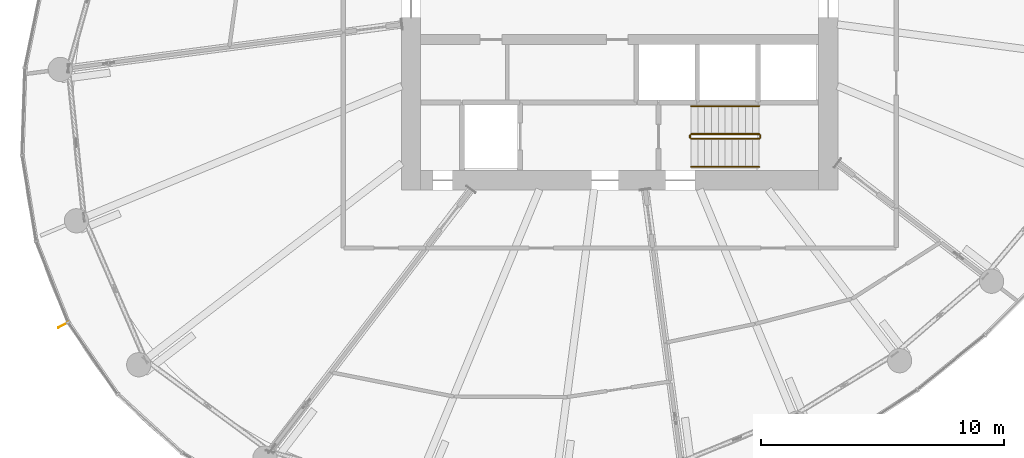
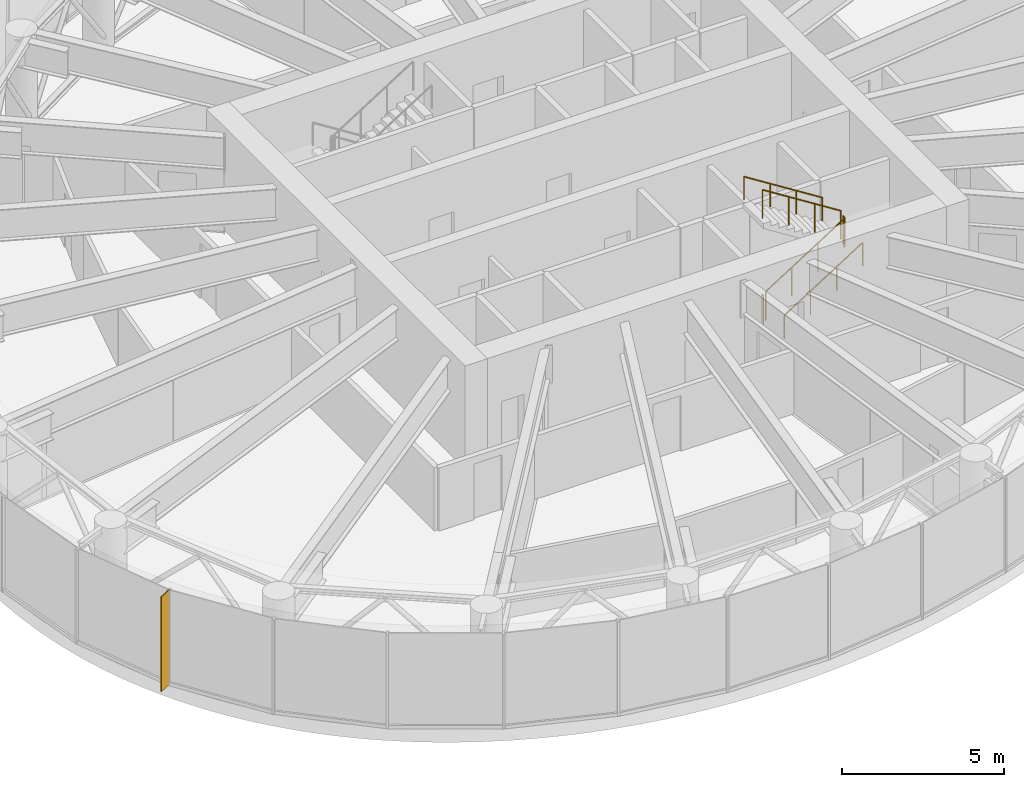
# One storey, part 23 of 25: 6 railings, 1 shading device.
"""IFC4 building model written with IfcOpenShell, lengths in metres."""

import ifcopenshell
import ifcopenshell.guid

model = None  # the IFC model being written
_history = None  # IfcOwnerHistory: only IFC2X3 demands one
_inside = {}  # id of a spatial element -> (the spatial element, [elements in it])
_under = {}  # id of a project, library or spatial element -> (it, [spatial elements below it])
_declared = {}  # id of a project -> (the project, [libraries it declares])
_typed = {}  # id of a type object -> (the type object, [elements of that type])
_made_of = {}  # id of a material, layer set ... -> (it, [elements and type objects made of it])


def new_model(schema):
    """Start an empty IFC model of exactly this schema.

    Asked for "IFC4X3", IfcOpenShell would pick the latest addendum, in which some entities
    have other attributes; the version numbers below select the first issue.
    IFC2X3 requires an IfcOwnerHistory on every rooted entity: one is made here for all.
    """
    global model, _history
    if schema == "IFC4X3":
        model = ifcopenshell.file(schema_version=(4, 3, 0, 0))
    else:
        model = ifcopenshell.file(schema=schema)
    _inside.clear()
    _under.clear()
    _declared.clear()
    _typed.clear()
    _made_of.clear()
    _history = None
    if model.schema == "IFC2X3":
        org = make("IfcOrganization", Name="unknown")
        user = make(
            "IfcPersonAndOrganization",
            ThePerson=make("IfcPerson", FamilyName="unknown"),
            TheOrganization=org,
        )
        app = make(
            "IfcApplication",
            ApplicationDeveloper=org,
            Version="unknown",
            ApplicationFullName="unknown",
            ApplicationIdentifier="unknown",
        )
        _history = make(
            "IfcOwnerHistory",
            OwningUser=user,
            OwningApplication=app,
            ChangeAction="ADDED",
            CreationDate=0,
        )
    return model


def make(cls, **values):
    """One entity of the class cls with the attributes given. An attribute that is None is left unset."""
    return model.create_entity(
        cls, **{name: value for name, value in values.items() if value is not None}
    )


def rooted(cls, **values):
    """An entity with a GlobalId (a new one), such as an element, a storey or a relation."""
    return make(cls, GlobalId=ifcopenshell.guid.new(), OwnerHistory=_history, **values)


def si_unit(unit_type, name, prefix=None):
    """IfcSIUnit, for example si_unit("LENGTHUNIT", "METRE", prefix="MILLI")."""
    return make("IfcSIUnit", UnitType=unit_type, Prefix=prefix, Name=name)


def assignment(units):
    """IfcUnitAssignment: the units of a project."""
    return None if units is None else make("IfcUnitAssignment", Units=units)


def point(xyz):
    """IfcCartesianPoint."""
    return None if xyz is None else make("IfcCartesianPoint", Coordinates=xyz)


def direction(xyz):
    """IfcDirection."""
    return None if xyz is None else make("IfcDirection", DirectionRatios=xyz)


def frame(location, z_axis=None, x_axis=None):
    """IfcAxis2Placement3D, a coordinate frame: its origin and axes. An axis left out is left unset."""
    return make(
        "IfcAxis2Placement3D",
        Location=point(location),
        Axis=direction(z_axis),
        RefDirection=direction(x_axis),
    )


def frame_2d(location, x_axis=None):
    """IfcAxis2Placement2D, a coordinate frame in the plane: its origin and x axis."""
    return make(
        "IfcAxis2Placement2D", Location=point(location), RefDirection=direction(x_axis)
    )


def origin():
    """The frame at (0, 0, 0) with its axes left unset."""
    return frame((0.0, 0.0, 0.0))


def origin_2d():
    """The frame at (0, 0) in the plane with its x axis left unset."""
    return frame_2d((0.0, 0.0))


def place(relative_to, where):
    """IfcLocalPlacement: puts the frame where relative to a parent placement (None: the world)."""
    return make(
        "IfcLocalPlacement", PlacementRelTo=relative_to, RelativePlacement=where
    )


def context(
    kind, dimensions, precision=None, world=None, true_north=None, identifier=None
):
    """IfcGeometricRepresentationContext, for example the 3D "Model" context."""
    return make(
        "IfcGeometricRepresentationContext",
        ContextIdentifier=identifier,
        ContextType=kind,
        CoordinateSpaceDimension=dimensions,
        Precision=precision,
        WorldCoordinateSystem=world,
        TrueNorth=true_north,
    )


def subcontext(parent, identifier, kind, view, scale=None):
    """IfcGeometricRepresentationSubContext, for example "Body" below "Model"."""
    return make(
        "IfcGeometricRepresentationSubContext",
        ContextIdentifier=identifier,
        ContextType=kind,
        ParentContext=parent,
        TargetScale=scale,
        TargetView=view,
    )


def project(units=None, contexts=None):
    """IfcProject with its units and contexts."""
    return rooted(
        "IfcProject",
        Name="project",
        RepresentationContexts=contexts,
        UnitsInContext=assignment(units),
    )


def spatial(cls, under=None, at=None, **own):
    """A site, building, storey or space (cls), placed at a placement, below another one or the project."""
    s = rooted(cls, ObjectPlacement=at, **own)
    if under is not None:
        _under.setdefault(under.id(), (under, []))[1].append(s)
    return s


def profile(cls, at=None, kind="AREA", **sizes):
    """A parametric profile (cls). Its sizes go by their IFC names, for example OverallWidth=200.0."""
    return make(cls, ProfileType=kind, Position=at, **sizes)


def rectangle(**sizes):
    """IfcRectangleProfileDef."""
    return profile("IfcRectangleProfileDef", **sizes)


def circle(**sizes):
    """IfcCircleProfileDef."""
    return profile("IfcCircleProfileDef", **sizes)


def extrude(swept, where, along, depth):
    """IfcExtrudedAreaSolid: the profile swept, set in the frame where, extruded along a direction by depth."""
    return make(
        "IfcExtrudedAreaSolid",
        SweptArea=swept,
        Position=where,
        ExtrudedDirection=direction(along),
        Depth=depth,
    )


def shape(context_of_items, identifier, shape_type, items):
    """IfcShapeRepresentation: the items that make up one representation, for example the "Body"."""
    return make(
        "IfcShapeRepresentation",
        ContextOfItems=context_of_items,
        RepresentationIdentifier=identifier,
        RepresentationType=shape_type,
        Items=items,
    )


def source(mapping_origin, context_of_items, identifier, shape_type, items):
    """IfcRepresentationMap: a shape defined once, which mapped items show again and again."""
    return make(
        "IfcRepresentationMap",
        MappingOrigin=mapping_origin,
        MappedRepresentation=shape(context_of_items, identifier, shape_type, items),
    )


def transform(
    local_origin,
    x_axis=None,
    y_axis=None,
    z_axis=None,
    scale=None,
    scale2=None,
    scale3=None,
    uniform=True,
):
    """IfcCartesianTransformationOperator3D, or its non-uniform kind. x_axis, y_axis, z_axis: its Axis1, 2, 3."""
    if uniform:
        return make(
            "IfcCartesianTransformationOperator3D",
            Axis1=direction(x_axis),
            Axis2=direction(y_axis),
            LocalOrigin=point(local_origin),
            Scale=scale,
            Axis3=direction(z_axis),
        )
    return make(
        "IfcCartesianTransformationOperator3DnonUniform",
        Axis1=direction(x_axis),
        Axis2=direction(y_axis),
        LocalOrigin=point(local_origin),
        Scale=scale,
        Axis3=direction(z_axis),
        Scale2=scale2,
        Scale3=scale3,
    )


def mapped(mapping_source, mapping_target):
    """IfcMappedItem: shows the shape of a source again, moved by a transform."""
    return make(
        "IfcMappedItem", MappingSource=mapping_source, MappingTarget=mapping_target
    )


def material(Name=None, Category=None):
    """IfcMaterial."""
    return make("IfcMaterial", Name=Name, Category=Category)


def material_profile(
    of_material, cross_section, Name=None, Category=None, Priority=None
):
    """IfcMaterialProfile: a cross section and its material."""
    return make(
        "IfcMaterialProfile",
        Name=Name,
        Material=of_material,
        Profile=cross_section,
        Priority=Priority,
        Category=Category,
    )


def profile_set(profiles, Name=None, composite=None):
    """IfcMaterialProfileSet."""
    return make(
        "IfcMaterialProfileSet",
        Name=Name,
        MaterialProfiles=profiles,
        CompositeProfile=composite,
    )


def made_of(thing, what):
    """Note that an element or type object is made of a material, layer set ...; save() writes the relation."""
    if what is not None:
        _made_of.setdefault(what.id(), (what, []))[1].append(thing)
    return thing


def type_object(cls, material=None, **own):
    """A type object (cls), such as IfcWallType, which elements share."""
    return made_of(rooted(cls, **own), material)


def element(
    cls,
    number,
    at=None,
    inside=None,
    cuts=None,
    type_object=None,
    material=None,
    context=None,
    identifier="Body",
    shape_type=None,
    held_by="IfcProductDefinitionShape",
    body=None,
    shapes=None,
    **own,
):
    """One element of the class cls, such as IfcWall. Its Tag is "e" and its number.

    at: its placement. inside: the storey or other place that contains it. cuts: it is an
    opening in that element (IfcRelVoidsElement). A single representation is given by context,
    identifier, shape_type and body (its items); several are given by shapes. held_by: the class
    of the entity that holds the representations. save() writes the other relations.
    """
    e = rooted(cls, Tag="e%d" % number, ObjectPlacement=at, **own)
    if body is not None:
        shapes = [shape(context, identifier, shape_type, body)]
    if shapes is not None:
        e.Representation = make(held_by, Representations=shapes)
    if inside is not None:
        _inside.setdefault(inside.id(), (inside, []))[1].append(e)
    if cuts is not None:
        rooted(
            "IfcRelVoidsElement", RelatingBuildingElement=cuts, RelatedOpeningElement=e
        )
    if type_object is not None:
        _typed.setdefault(type_object.id(), (type_object, []))[1].append(e)
    return made_of(e, material)


def aggregate(whole, parts):
    """IfcRelAggregates: a whole, such as a stair, and the parts it consists of."""
    return rooted("IfcRelAggregates", RelatingObject=whole, RelatedObjects=parts)


def save(model, path):
    """Write the relations noted so far, then the file.

    IfcRelAggregates (storeys below a building ...), IfcRelContainedInSpatialStructure (elements
    in a storey), IfcRelDefinesByType, IfcRelAssociatesMaterial and IfcRelDeclares: one each for
    every whole, place, type object, material and project.
    """
    for whole, parts in _under.values():
        aggregate(whole, parts)
    for where, things in _inside.values():
        rooted(
            "IfcRelContainedInSpatialStructure",
            RelatedElements=things,
            RelatingStructure=where,
        )
    for kind, things in _typed.values():
        rooted("IfcRelDefinesByType", RelatedObjects=things, RelatingType=kind)
    for what, things in _made_of.values():
        rooted("IfcRelAssociatesMaterial", RelatedObjects=things, RelatingMaterial=what)
    for by, libraries in _declared.values():
        rooted("IfcRelDeclares", RelatingContext=by, RelatedDefinitions=libraries)
    model.write(path)


model = new_model("IFC4")

# Units and contexts
model_context = context("Model", 3, precision=1e-05, world=origin(), true_north=direction((0.0, 1.0)))
body_context = subcontext(model_context, "Body", "Model", "MODEL_VIEW")
ifc_project = project(units=[si_unit("LENGTHUNIT", "METRE"), si_unit("AREAUNIT", "SQUARE_METRE"), si_unit("VOLUMEUNIT", "CUBIC_METRE"), si_unit("PLANEANGLEUNIT", "RADIAN"), si_unit("MASSUNIT", "GRAM", prefix="KILO")], contexts=[model_context])

# Site, building, storey
site_placement = place(None, origin())
site = spatial("IfcSite", under=ifc_project, at=site_placement, CompositionType="ELEMENT")
building_placement = place(site_placement, origin())
building = spatial("IfcBuilding", under=site, at=building_placement, Name="Spindrift Exchange Tower", CompositionType="ELEMENT")
storey_placement = place(building_placement, frame((0.0, 0.0, 179.89990234375)))
storey = spatial("IfcBuildingStorey", under=building, at=storey_placement, Name="L43", CompositionType="ELEMENT", Elevation=179.89990234375)

# Railings
ifc_material_1 = material(Name="Steel balustrade", Category="steel")
railing_type_1 = type_object("IfcRailingType", Name="RL-STAIR-GUARD", PredefinedType="GUARDRAIL", material=ifc_material_1)
railing_1_placement = place(storey_placement, frame((54.949951171875, 42.10009765625, 0.177490234375)))
element("IfcRailing", 1, at=railing_1_placement, inside=storey, type_object=railing_type_1, Name="L43 ST2 stair guard 1", PredefinedType="GUARDRAIL", context=body_context, shape_type="SweptSolid", body=[
    extrude(circle(Radius=0.02392578125, at=origin_2d()), frame((0.0, 0.0, 1.076171875), z_axis=(0.844908973607, 0.0, 0.534910110503), x_axis=(0.0, 1.0, 0.0)), (0.0, 0.0, 1.0), 3.31396484375),
    extrude(circle(Radius=0.02099609375, at=origin_2d()), origin(), (0.0, 0.0, 1.0), 1.052001953125),
    extrude(circle(Radius=0.02099609375, at=origin_2d()), frame((0.933349609375, 0.0, 0.5908203125)), (0.0, 0.0, 1.0), 1.052001953125),
    extrude(circle(Radius=0.02099609375, at=origin_2d()), frame((1.86669921875, 0.0, 1.181884765625)), (0.0, 0.0, 1.0), 1.052001953125),
    extrude(circle(Radius=0.02099609375, at=origin_2d()), frame((2.800048828125, 0.0, 1.772705078125)), (0.0, 0.0, 1.0), 1.052001953125),
])
railing_2_placement = place(storey_placement, frame((57.800048828125, 42.14990234375, 1.9501953125)))
element("IfcRailing", 2, at=railing_2_placement, inside=storey, type_object=railing_type_1, Name="L43 ST2 stair guard 2", PredefinedType="GUARDRAIL", context=body_context, shape_type="SweptSolid", body=[
    extrude(circle(Radius=0.02392578125, at=origin_2d()), frame((0.0, 0.0, 1.076171875), z_axis=(0.0, 1.0, 0.0), x_axis=(-1.0, 0.0, 0.0)), (0.0, 0.0, 1.0), 0.10009765625),
    extrude(circle(Radius=0.02099609375, at=origin_2d()), origin(), (0.0, 0.0, 1.0), 1.052001953125),
    extrude(circle(Radius=0.02099609375, at=origin_2d()), frame((0.0, 0.10009765625, 0.0)), (0.0, 0.0, 1.0), 1.052001953125),
])
railing_3_placement = place(storey_placement, frame((57.75, 42.300048828125, 2.12744140625)))
element("IfcRailing", 3, at=railing_3_placement, inside=storey, type_object=railing_type_1, Name="L43 ST2 stair guard 3", PredefinedType="GUARDRAIL", context=body_context, shape_type="SweptSolid", body=[
    extrude(circle(Radius=0.02392578125, at=origin_2d()), frame((0.0, 0.0, 1.076171875), z_axis=(-0.844908973607, 0.0, 0.534910110503), x_axis=(0.0, -1.0, 0.0)), (0.0, 0.0, 1.0), 3.31396484375),
    extrude(circle(Radius=0.02099609375, at=origin_2d()), origin(), (0.0, 0.0, 1.0), 1.052001953125),
    extrude(circle(Radius=0.02099609375, at=origin_2d()), frame((-0.933349609375, 0.0, 0.5908203125)), (0.0, 0.0, 1.0), 1.052001953125),
    extrude(circle(Radius=0.02099609375, at=origin_2d()), frame((-1.86669921875, 0.0, 1.181884765625)), (0.0, 0.0, 1.0), 1.052001953125),
    extrude(circle(Radius=0.02099609375, at=origin_2d()), frame((-2.800048828125, 0.0, 1.772705078125)), (0.0, 0.0, 1.0), 1.052001953125),
])
railing_4_placement = place(storey_placement, frame((54.89990234375, 42.14990234375, 0.0)))
element("IfcRailing", 4, at=railing_4_placement, inside=storey, type_object=railing_type_1, Name="L43 ST2 stair guard 4", PredefinedType="GUARDRAIL", context=body_context, shape_type="SweptSolid", body=[
    extrude(circle(Radius=0.02392578125, at=origin_2d()), frame((0.0, 0.0, 1.076171875), z_axis=(0.0, 1.0, 0.0), x_axis=(-1.0, 0.0, 0.0)), (0.0, 0.0, 1.0), 0.10009765625),
    extrude(circle(Radius=0.02099609375, at=origin_2d()), origin(), (0.0, 0.0, 1.0), 1.052001953125),
    extrude(circle(Radius=0.02099609375, at=origin_2d()), frame((0.0, 0.10009765625, 0.0)), (0.0, 0.0, 1.0), 1.052001953125),
])
ifc_material_2 = material(Name="Steel tubular handrail", Category="steel")
railing_type_2 = type_object("IfcRailingType", Name="RL-STAIR-HAND", PredefinedType="HANDRAIL", material=ifc_material_2)
railing_5_placement = place(storey_placement, frame((54.949951171875, 40.949951171875, 0.177490234375)))
element("IfcRailing", 5, at=railing_5_placement, inside=storey, type_object=railing_type_2, Name="L43 ST2 stair handrail 1", PredefinedType="HANDRAIL", context=body_context, shape_type="SweptSolid", body=[
    extrude(circle(Radius=0.02392578125, at=origin_2d()), frame((0.0, 0.0, 0.8759765625), z_axis=(0.844908973607, 0.0, 0.534910110503), x_axis=(0.0, 1.0, 0.0)), (0.0, 0.0, 1.0), 3.31396484375),
    extrude(circle(Radius=0.02099609375, at=origin_2d()), origin(), (0.0, 0.0, 1.0), 0.851806640625),
    extrude(circle(Radius=0.02099609375, at=origin_2d()), frame((0.933349609375, 0.0, 0.5908203125)), (0.0, 0.0, 1.0), 0.851806640625),
    extrude(circle(Radius=0.02099609375, at=origin_2d()), frame((1.86669921875, 0.0, 1.181884765625)), (0.0, 0.0, 1.0), 0.851806640625),
    extrude(circle(Radius=0.02099609375, at=origin_2d()), frame((2.800048828125, 0.0, 1.772705078125)), (0.0, 0.0, 1.0), 0.851806640625),
])
railing_6_placement = place(storey_placement, frame((57.75, 43.449951171875, 2.12744140625)))
element("IfcRailing", 6, at=railing_6_placement, inside=storey, type_object=railing_type_2, Name="L43 ST2 stair handrail 2", PredefinedType="HANDRAIL", context=body_context, shape_type="SweptSolid", body=[
    extrude(circle(Radius=0.02392578125, at=origin_2d()), frame((0.0, 0.0, 0.8759765625), z_axis=(-0.844908973607, 0.0, 0.534910110503), x_axis=(0.0, -1.0, 0.0)), (0.0, 0.0, 1.0), 3.31396484375),
    extrude(circle(Radius=0.02099609375, at=origin_2d()), origin(), (0.0, 0.0, 1.0), 0.851806640625),
    extrude(circle(Radius=0.02099609375, at=origin_2d()), frame((-0.933349609375, 0.0, 0.5908203125)), (0.0, 0.0, 1.0), 0.851806640625),
    extrude(circle(Radius=0.02099609375, at=origin_2d()), frame((-1.86669921875, 0.0, 1.181884765625)), (0.0, 0.0, 1.0), 0.851806640625),
    extrude(circle(Radius=0.02099609375, at=origin_2d()), frame((-2.800048828125, 0.0, 1.772705078125)), (0.0, 0.0, 1.0), 0.851806640625),
])

# Shading device
ifc_material_3 = material(Name="Bronze anodised aluminium", Category="aluminium")
ifc_material_profile = material_profile(ifc_material_3, rectangle(XDim=0.030029296875, YDim=0.5, at=origin_2d()), Name="WIND FIN 30X500")
ifc_profile_set = profile_set([ifc_material_profile], Name="Bronze anodised aluminium")
shading_device_type = type_object("IfcShadingDeviceType", Name="WIND FIN 30X500", PredefinedType="USERDEFINED", material=ifc_profile_set)
shared_shape = source(origin(), body_context, "Body", "SweptSolid", [
    extrude(rectangle(XDim=0.030029296875, YDim=0.5, at=origin_2d()), origin(), (0.0, 0.0, 1.0), 3.580078125),
])
shading_device_placement = place(storey_placement, frame((29.074462890625, 34.43310546875, 0.0), z_axis=(0.0, 0.0, 1.0), x_axis=(0.469975404503, -0.882679511013, 0.0)))
element("IfcShadingDevice", 7, at=shading_device_placement, inside=storey, type_object=shading_device_type, Name="L43 wind fin 1", ObjectType="FIN", PredefinedType="USERDEFINED", context=body_context, shape_type="MappedRepresentation", body=[
    mapped(shared_shape, transform((0.0, 0.0, 0.0), scale=1.0)),
])

save(model, "model.ifc")
